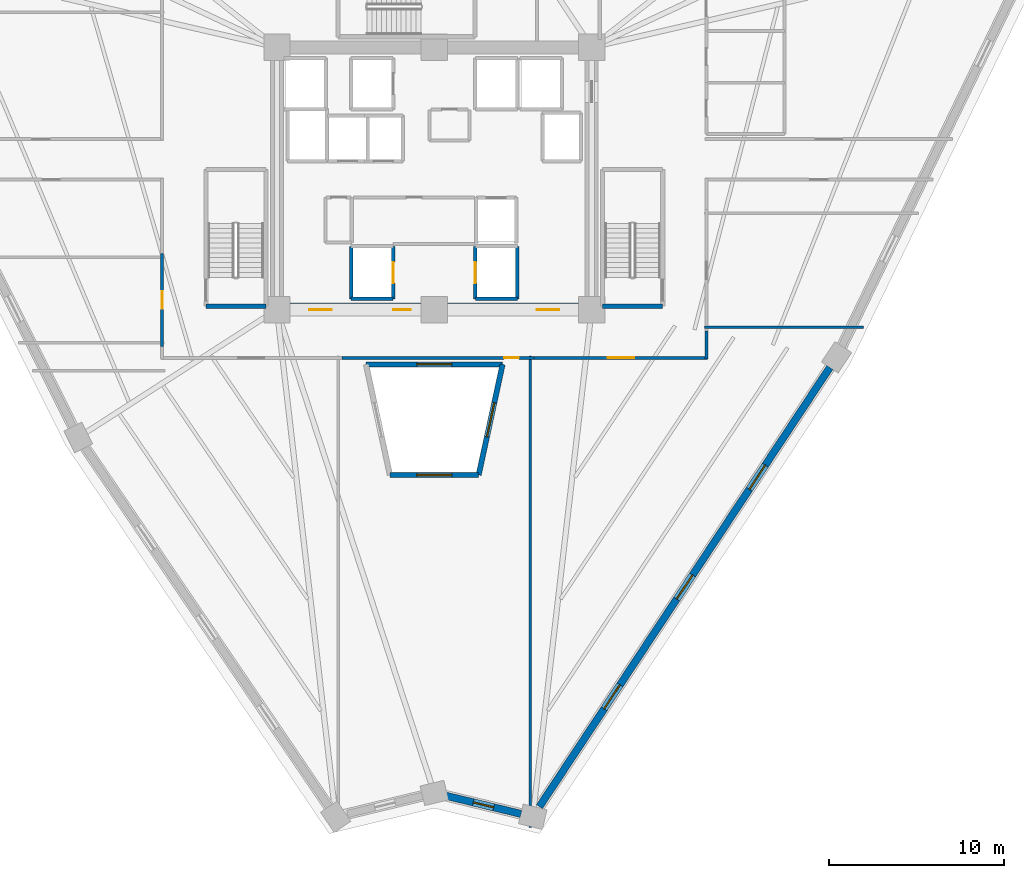
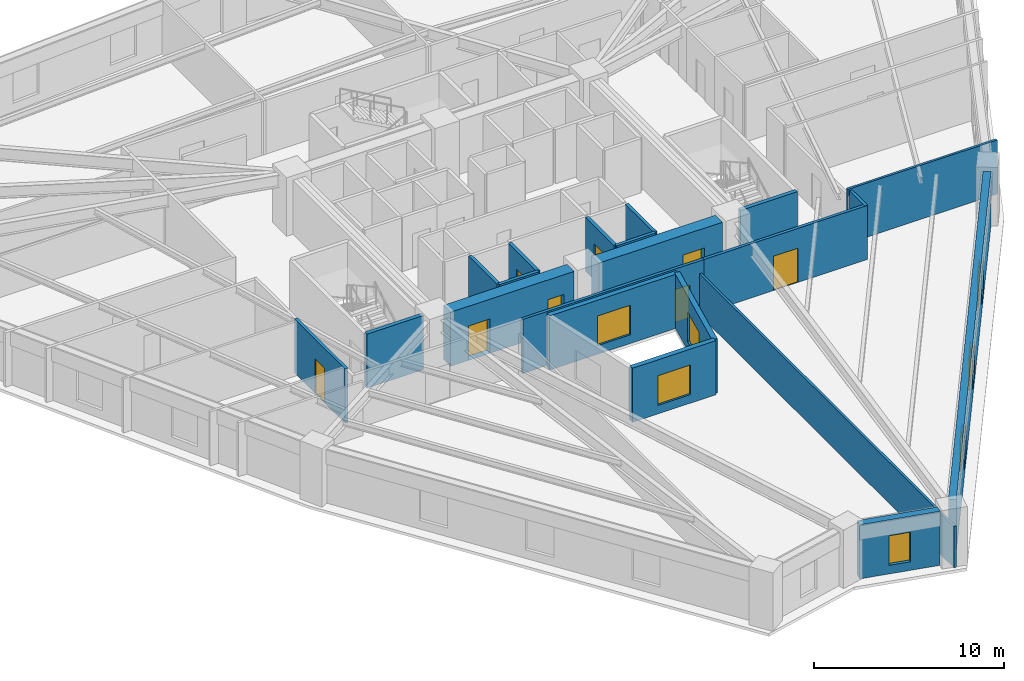
# One storey, part 3 of 8: 21 walls, 8 doors, 7 windows, 15 openings.
"""IFC4 building model written with IfcOpenShell, lengths in metres."""

from ifc_helpers import new_model, si_unit, direction, frame, frame_2d, origin, place, context, subcontext, project, spatial, rectangle, extrude, source, transform, mapped, material, layer, layer_set, type_object, element, fill, save


model = new_model("IFC4")

# Units and contexts
model_context = context("Model", 3, precision=1e-05, world=origin(), true_north=direction((0.0, 1.0)))
body_context = subcontext(model_context, "Body", "Model", "MODEL_VIEW")
ifc_project = project(units=[si_unit("LENGTHUNIT", "METRE"), si_unit("AREAUNIT", "SQUARE_METRE"), si_unit("VOLUMEUNIT", "CUBIC_METRE"), si_unit("PLANEANGLEUNIT", "RADIAN"), si_unit("MASSUNIT", "GRAM", prefix="KILO")], contexts=[model_context])

# Site, building, storey
site_placement = place(None, origin())
site = spatial("IfcSite", under=ifc_project, at=site_placement, CompositionType="ELEMENT")
building_placement = place(site_placement, origin())
building = spatial("IfcBuilding", under=site, at=building_placement, Name="Liaohun Quay Tower", CompositionType="ELEMENT")
storey_placement = place(building_placement, frame((0.0, 0.0, 181.5)))
storey = spatial("IfcBuildingStorey", under=building, at=storey_placement, Name="L47", CompositionType="ELEMENT", Elevation=181.5)

# Wall, opening, window
ifc_material_1 = material(Name="Concrete C50", Category="concrete")
ifc_layer_1 = layer(ifc_material_1, 0.300048828125, Name="Concrete C50", Category="concrete")
ifc_layer_set_1 = layer_set([ifc_layer_1], Name="Concrete C50")
wall_type_1 = type_object("IfcWallType", Name="WAL-ATR-300", PredefinedType="SOLIDWALL", material=ifc_layer_set_1)
wall_1_placement = place(storey_placement, frame((56.093017578125, 43.3701171875, 0.0), z_axis=(0.0, 0.0, 1.0), x_axis=(1.0, 0.0, 0.0)))
wall_1 = element("IfcWall", 1, at=wall_1_placement, inside=storey, type_object=wall_type_1, Name="L47 Atrium Fire Compartment Wall 2", PredefinedType="SOLIDWALL", context=body_context, shape_type="SweptSolid", body=[
    extrude(rectangle(XDim=7.81396484375, YDim=0.300048828125, at=frame_2d((3.906982421875, 0.0))), origin(), (0.0, 0.0, 1.0), 3.469970703125),
])
shared_shape_1 = source(origin(), body_context, "Body", "SweptSolid", [
    extrude(rectangle(XDim=2.0, YDim=1.89990234375, at=frame_2d((1.0, 0.949951171875))), frame((0.0, 0.159912109375, 0.0), z_axis=(0.0, -1.0, 0.0), x_axis=(1.0, 0.0, 0.0)), (0.0, 0.0, 1.0), 0.320068359375),
])
opening_1_placement = place(wall_1_placement, frame((2.906982421875, 0.0, 0.550048828125)))
opening_1 = element("IfcOpeningElement", 2, at=opening_1_placement, cuts=wall_1, Name="Opening W07", PredefinedType="OPENING", context=body_context, shape_type="MappedRepresentation", body=[
    mapped(shared_shape_1, transform((0.0, 0.0, 0.0), x_axis=(1.0, 0.0, 0.0), y_axis=(0.0, 1.0, 0.0), z_axis=(0.0, 0.0, 1.0), scale=1.0)),
])
ifc_material_2 = material(Name="Class A 180-min fire-resistant insulated glazing", Category="glass")
window_type_1 = type_object("IfcWindowType", Name="WIN-ATR-FIR", PartitioningType="DOUBLE_PANEL_VERTICAL", PredefinedType="WINDOW", material=ifc_material_2)
shared_shape_2 = source(origin(), body_context, "Body", "SweptSolid", [
    extrude(rectangle(XDim=2.0, YDim=1.89990234375, at=frame_2d((1.0, 0.949951171875))), frame((0.0, 0.030029296875, 0.0), z_axis=(0.0, -1.0, 0.0), x_axis=(1.0, 0.0, 0.0)), (0.0, 0.0, 1.0), 0.06005859375),
])
window_1_placement = place(opening_1_placement, origin())
window_1 = element("IfcWindow", 3, at=window_1_placement, inside=storey, type_object=window_type_1, Name="L47 Atrium Fire-Resistant Glazing W07-2", OverallHeight=1.89990234375, OverallWidth=2.0, PartitioningType="DOUBLE_PANEL_VERTICAL", PredefinedType="WINDOW", context=body_context, shape_type="MappedRepresentation", body=[
    mapped(shared_shape_2, transform((0.0, 0.0, 0.0), x_axis=(1.0, 0.0, 0.0), y_axis=(0.0, 1.0, 0.0), z_axis=(0.0, 0.0, 1.0), scale=1.0)),
])
fill(opening_1, window_1)

wall_2_placement = place(storey_placement, frame((63.906982421875, 43.3701171875, 0.0), z_axis=(0.0, 0.0, 1.0), x_axis=(-0.211409755765, -0.977397521568, 0.0)))
wall_2 = element("IfcWall", 4, at=wall_2_placement, inside=storey, type_object=wall_type_1, Name="L47 Atrium Fire Compartment Wall 3", PredefinedType="SOLIDWALL", context=body_context, shape_type="SweptSolid", body=[
    extrude(rectangle(XDim=6.470458984375, YDim=0.300048828125, at=frame_2d((3.2353515625, 0.0))), origin(), (0.0, 0.0, 1.0), 3.469970703125),
])
opening_2_placement = place(wall_2_placement, frame((2.235107421875, 0.0, 0.550048828125)))
opening_2 = element("IfcOpeningElement", 5, at=opening_2_placement, cuts=wall_2, Name="Opening W07", PredefinedType="OPENING", context=body_context, shape_type="MappedRepresentation", body=[
    mapped(shared_shape_1, transform((0.0, 0.0, 0.0), x_axis=(1.0, 0.0, 0.0), y_axis=(0.0, 1.0, 0.0), z_axis=(0.0, 0.0, 1.0), scale=1.0)),
])
window_2_placement = place(opening_2_placement, origin())
window_2 = element("IfcWindow", 6, at=window_2_placement, inside=storey, type_object=window_type_1, Name="L47 Atrium Fire-Resistant Glazing W07-3", OverallHeight=1.89990234375, OverallWidth=2.0, PartitioningType="DOUBLE_PANEL_VERTICAL", PredefinedType="WINDOW", context=body_context, shape_type="MappedRepresentation", body=[
    mapped(shared_shape_2, transform((0.0, 0.0, 0.0), x_axis=(1.0, 0.0, 0.0), y_axis=(0.0, 1.0, 0.0), z_axis=(0.0, 0.0, 1.0), scale=1.0)),
])
fill(opening_2, window_2)

wall_3_placement = place(storey_placement, frame((62.5390625, 37.0458984375, 0.0), z_axis=(0.0, 0.0, 1.0), x_axis=(-1.0, 0.0, 0.0)))
wall_3 = element("IfcWall", 7, at=wall_3_placement, inside=storey, type_object=wall_type_1, Name="L47 Atrium Fire Compartment Wall 4", PredefinedType="SOLIDWALL", context=body_context, shape_type="SweptSolid", body=[
    extrude(rectangle(XDim=5.078125, YDim=0.300048828125, at=frame_2d((2.5390625, 0.0))), origin(), (0.0, 0.0, 1.0), 3.469970703125),
])
opening_3_placement = place(wall_3_placement, frame((1.5390625, 0.0, 0.550048828125)))
opening_3 = element("IfcOpeningElement", 8, at=opening_3_placement, cuts=wall_3, Name="Opening W07", PredefinedType="OPENING", context=body_context, shape_type="MappedRepresentation", body=[
    mapped(shared_shape_1, transform((0.0, 0.0, 0.0), x_axis=(1.0, 0.0, 0.0), y_axis=(0.0, 1.0, 0.0), z_axis=(0.0, 0.0, 1.0), scale=1.0)),
])
window_3_placement = place(opening_3_placement, origin())
window_3 = element("IfcWindow", 9, at=window_3_placement, inside=storey, type_object=window_type_1, Name="L47 Atrium Fire-Resistant Glazing W07-4", OverallHeight=1.89990234375, OverallWidth=2.0, PartitioningType="DOUBLE_PANEL_VERTICAL", PredefinedType="WINDOW", context=body_context, shape_type="MappedRepresentation", body=[
    mapped(shared_shape_2, transform((0.0, 0.0, 0.0), x_axis=(1.0, 0.0, 0.0), y_axis=(0.0, 1.0, 0.0), z_axis=(0.0, 0.0, 1.0), scale=1.0)),
])
fill(opening_3, window_3)

# Wall, opening, door
ifc_material_3 = material(Name="Concrete C60", Category="concrete")
ifc_layer_2 = layer(ifc_material_3, 0.75, Name="Concrete C60", Category="concrete")
ifc_layer_set_2 = layer_set([ifc_layer_2], Name="Concrete C60")
wall_type_2 = type_object("IfcWallType", Name="WAL-COR-Z2", PredefinedType="SHEAR", material=ifc_layer_set_2)
wall_4_placement = place(storey_placement, frame((68.25, 46.5, 0.0), z_axis=(0.0, 0.0, 1.0), x_axis=(-1.0, 0.0, 0.0)))
wall_4 = element("IfcWall", 10, at=wall_4_placement, inside=storey, type_object=wall_type_2, Name="L47 Central Core Shear Wall S-E", PredefinedType="SHEAR", context=body_context, shape_type="SweptSolid", body=[
    extrude(rectangle(XDim=7.5, YDim=0.75, at=frame_2d((3.75, 0.0))), origin(), (0.0, 0.0, 1.0), 3.469970703125),
])
shared_shape_3 = source(origin(), body_context, "Body", "SweptSolid", [
    extrude(rectangle(XDim=1.300048828125, YDim=2.199951171875, at=frame_2d((0.64990234375, 1.10009765625))), frame((0.0, 0.385009765625, 0.0), z_axis=(0.0, -1.0, 0.0), x_axis=(1.0, 0.0, 0.0)), (0.0, 0.0, 1.0), 0.77001953125),
])
opening_4_placement = place(wall_4_placement, frame((1.10009765625, 0.0, 0.0)))
opening_4 = element("IfcOpeningElement", 11, at=opening_4_placement, cuts=wall_4, Name="Opening FD1", PredefinedType="OPENING", context=body_context, shape_type="MappedRepresentation", body=[
    mapped(shared_shape_3, transform((0.0, 0.0, 0.0), x_axis=(1.0, 0.0, 0.0), y_axis=(0.0, 1.0, 0.0), z_axis=(0.0, 0.0, 1.0), scale=1.0)),
])
ifc_material_4 = material(Name="Galvanised steel smokeproof fire door", Category="steel")
door_type_1 = type_object("IfcDoorType", Name="DOR-FFL-1300", OperationType="NOTDEFINED", PredefinedType="DOOR", material=ifc_material_4)
shared_shape_4 = source(origin(), body_context, "Body", "SweptSolid", [
    extrude(rectangle(XDim=1.300048828125, YDim=2.199951171875, at=frame_2d((0.64990234375, 1.10009765625))), frame((0.0, 0.02490234375, 0.0), z_axis=(0.0, -1.0, 0.0), x_axis=(1.0, 0.0, 0.0)), (0.0, 0.0, 1.0), 0.050048828125),
])
door_1_placement = place(opening_4_placement, origin())
door_1 = element("IfcDoor", 12, at=door_1_placement, inside=storey, type_object=door_type_1, Name="L47 East Core Lift Lobby Smokeproof Door", OperationType="SINGLE_SWING_LEFT", OverallHeight=2.199951171875, OverallWidth=1.300048828125, PredefinedType="DOOR", context=body_context, shape_type="MappedRepresentation", body=[
    mapped(shared_shape_4, transform((0.0, 0.0, 0.0), x_axis=(1.0, 0.0, 0.0), y_axis=(0.0, 1.0, 0.0), z_axis=(0.0, 0.0, 1.0), scale=1.0)),
])
fill(opening_4, door_1)

# Wall, openings, doors
wall_5_placement = place(storey_placement, frame((59.25, 46.5, 0.0), z_axis=(0.0, 0.0, 1.0), x_axis=(-1.0, 0.0, 0.0)))
wall_5 = element("IfcWall", 13, at=wall_5_placement, inside=storey, type_object=wall_type_2, Name="L47 Central Core Shear Wall S-W", PredefinedType="SHEAR", context=body_context, shape_type="SweptSolid", body=[
    extrude(rectangle(XDim=7.5, YDim=0.75, at=frame_2d((3.75, 0.0))), origin(), (0.0, 0.0, 1.0), 3.469970703125),
])
opening_5_placement = place(wall_5_placement, frame((5.10009765625, 0.0, 0.0)))
opening_5 = element("IfcOpeningElement", 14, at=opening_5_placement, cuts=wall_5, Name="Opening FD1", PredefinedType="OPENING", context=body_context, shape_type="MappedRepresentation", body=[
    mapped(shared_shape_3, transform((0.0, 0.0, 0.0), x_axis=(1.0, 0.0, 0.0), y_axis=(0.0, 1.0, 0.0), z_axis=(0.0, 0.0, 1.0), scale=1.0)),
])
shared_shape_5 = source(origin(), body_context, "Body", "SweptSolid", [
    extrude(rectangle(XDim=1.0, YDim=2.199951171875, at=frame_2d((0.5, 1.10009765625))), frame((0.0, 0.385009765625, 0.0), z_axis=(0.0, -1.0, 0.0), x_axis=(1.0, 0.0, 0.0)), (0.0, 0.0, 1.0), 0.77001953125),
])
opening_6_placement = place(wall_5_placement, frame((0.60009765625, 0.0, 0.0)))
opening_6 = element("IfcOpeningElement", 15, at=opening_6_placement, cuts=wall_5, Name="Opening FD2", PredefinedType="OPENING", context=body_context, shape_type="MappedRepresentation", body=[
    mapped(shared_shape_5, transform((0.0, 0.0, 0.0), x_axis=(1.0, 0.0, 0.0), y_axis=(0.0, 1.0, 0.0), z_axis=(0.0, 0.0, 1.0), scale=1.0)),
])
door_2_placement = place(opening_5_placement, origin())
door_2 = element("IfcDoor", 16, at=door_2_placement, inside=storey, type_object=door_type_1, Name="L47 West Core Lift Lobby Smokeproof Door", OperationType="SINGLE_SWING_RIGHT", OverallHeight=2.199951171875, OverallWidth=1.300048828125, PredefinedType="DOOR", context=body_context, shape_type="MappedRepresentation", body=[
    mapped(shared_shape_4, transform((0.0, 0.0, 0.0), x_axis=(1.0, 0.0, 0.0), y_axis=(0.0, 1.0, 0.0), z_axis=(0.0, 0.0, 1.0), scale=1.0)),
])
fill(opening_5, door_2)
ifc_material_5 = material(Name="Galvanised steel smokeproof lobby fire door", Category="steel")
door_type_2 = type_object("IfcDoorType", Name="DOR-FFL-1000", OperationType="NOTDEFINED", PredefinedType="DOOR", material=ifc_material_5)
shared_shape_6 = source(origin(), body_context, "Body", "SweptSolid", [
    extrude(rectangle(XDim=1.0, YDim=2.199951171875, at=frame_2d((0.5, 1.10009765625))), frame((0.0, 0.02490234375, 0.0), z_axis=(0.0, -1.0, 0.0), x_axis=(1.0, 0.0, 0.0)), (0.0, 0.0, 1.0), 0.050048828125),
])
door_3_placement = place(opening_6_placement, origin())
door_3 = element("IfcDoor", 17, at=door_3_placement, inside=storey, type_object=door_type_2, Name="L47 South Firefighting Lobby Smokeproof Door", OperationType="SINGLE_SWING_LEFT", OverallHeight=2.199951171875, OverallWidth=1.0, PredefinedType="DOOR", context=body_context, shape_type="MappedRepresentation", body=[
    mapped(shared_shape_6, transform((0.0, 0.0, 0.0), x_axis=(1.0, 0.0, 0.0), y_axis=(0.0, 1.0, 0.0), z_axis=(0.0, 0.0, 1.0), scale=1.0)),
])
fill(opening_6, door_3)

# Wall, opening, window
ifc_material_6 = material(Name="Precast concrete C50 insulated sandwich", Category="concrete")
ifc_layer_3 = layer(ifc_material_6, 0.419921875, Name="Precast concrete C50 insulated sandwich", Category="concrete")
ifc_layer_set_3 = layer_set([ifc_layer_3], Name="Precast concrete C50 insulated sandwich")
wall_type_3 = type_object("IfcWallType", Name="WAL-EXT-Z12", PredefinedType="SOLIDWALL", material=ifc_layer_set_3)
wall_6_placement = place(storey_placement, frame((60.6708984375, 18.7041015625, 0.0), z_axis=(0.0, 0.0, 1.0), x_axis=(0.972038673822, -0.234820818061, 0.0)))
wall_6 = element("IfcWall", 18, at=wall_6_placement, inside=storey, type_object=wall_type_3, Name="L47 Brutalist Precast Pier Wall 01", PredefinedType="SOLIDWALL", context=body_context, shape_type="SweptSolid", body=[
    extrude(rectangle(XDim=4.412353515625, YDim=0.419921875, at=frame_2d((2.2060546875, 0.0))), origin(), (0.0, 0.0, 1.0), 3.469970703125),
])
shared_shape_7 = source(origin(), body_context, "Body", "SweptSolid", [
    extrude(rectangle(XDim=1.199951171875, YDim=1.89990234375, at=frame_2d((0.60009765625, 0.949951171875))), frame((0.0, 0.219970703125, 0.0), z_axis=(0.0, -1.0, 0.0), x_axis=(1.0, 0.0, 0.0)), (0.0, 0.0, 1.0), 0.43994140625),
])
opening_7_placement = place(wall_6_placement, frame((1.60595703125, 0.0, 0.550048828125)))
opening_7 = element("IfcOpeningElement", 19, at=opening_7_placement, cuts=wall_6, Name="Opening W05", PredefinedType="OPENING", context=body_context, shape_type="MappedRepresentation", body=[
    mapped(shared_shape_7, transform((0.0, 0.0, 0.0), x_axis=(1.0, 0.0, 0.0), y_axis=(0.0, 1.0, 0.0), z_axis=(0.0, 0.0, 1.0), scale=1.0)),
])
ifc_material_7 = material(Name="Triple Low-E corner notch glazing", Category="glass")
window_type_2 = type_object("IfcWindowType", Name="WIN-NOTCH", PartitioningType="SINGLE_PANEL", PredefinedType="WINDOW", material=ifc_material_7)
shared_shape_8 = source(origin(), body_context, "Body", "SweptSolid", [
    extrude(rectangle(XDim=1.199951171875, YDim=1.89990234375, at=frame_2d((0.60009765625, 0.949951171875))), frame((0.0, 0.030029296875, 0.0), z_axis=(0.0, -1.0, 0.0), x_axis=(1.0, 0.0, 0.0)), (0.0, 0.0, 1.0), 0.06005859375),
])
window_4_placement = place(opening_7_placement, origin())
window_4 = element("IfcWindow", 20, at=window_4_placement, inside=storey, type_object=window_type_2, Name="L47 Corner Notch Window W05-01", OverallHeight=1.89990234375, OverallWidth=1.199951171875, PartitioningType="SINGLE_PANEL", PredefinedType="WINDOW", context=body_context, shape_type="MappedRepresentation", body=[
    mapped(shared_shape_8, transform((0.0, 0.0, 0.0), x_axis=(1.0, 0.0, 0.0), y_axis=(0.0, 1.0, 0.0), z_axis=(0.0, 0.0, 1.0), scale=1.0)),
])
fill(opening_7, window_4)

# Wall, openings, windows
wall_7_placement = place(storey_placement, frame((66.011962890625, 18.08203125, 0.0), z_axis=(0.0, 0.0, 1.0), x_axis=(0.551595967402, 0.834111436647, 0.0)))
wall_7 = element("IfcWall", 21, at=wall_7_placement, inside=storey, type_object=wall_type_3, Name="L47 Brutalist Precast Pier Wall 02", PredefinedType="SOLIDWALL", context=body_context, shape_type="SweptSolid", body=[
    extrude(rectangle(XDim=30.111083984375, YDim=0.419921875, at=frame_2d((15.0556640625, 0.0))), origin(), (0.0, 0.0, 1.0), 3.469970703125),
])
shared_shape_9 = source(origin(), body_context, "Body", "SweptSolid", [
    extrude(rectangle(XDim=1.64990234375, YDim=1.949951171875, at=frame_2d((0.824951171875, 0.97509765625))), frame((0.0, 0.219970703125, 0.0), z_axis=(0.0, -1.0, 0.0), x_axis=(1.0, 0.0, 0.0)), (0.0, 0.0, 1.0), 0.43994140625),
])
opening_8_placement = place(wall_7_placement, frame((6.702880859375, 0.0, 0.550048828125)))
opening_8 = element("IfcOpeningElement", 22, at=opening_8_placement, cuts=wall_7, Name="Opening W02", PredefinedType="OPENING", context=body_context, shape_type="MappedRepresentation", body=[
    mapped(shared_shape_9, transform((0.0, 0.0, 0.0), x_axis=(1.0, 0.0, 0.0), y_axis=(0.0, 1.0, 0.0), z_axis=(0.0, 0.0, 1.0), scale=1.0)),
])
opening_9_placement = place(wall_7_placement, frame((14.23095703125, 0.0, 0.550048828125)))
opening_9 = element("IfcOpeningElement", 23, at=opening_9_placement, cuts=wall_7, Name="Opening W02", PredefinedType="OPENING", context=body_context, shape_type="MappedRepresentation", body=[
    mapped(shared_shape_9, transform((0.0, 0.0, 0.0), x_axis=(1.0, 0.0, 0.0), y_axis=(0.0, 1.0, 0.0), z_axis=(0.0, 0.0, 1.0), scale=1.0)),
])
opening_10_placement = place(wall_7_placement, frame((21.758056640625, 0.0, 0.550048828125)))
opening_10 = element("IfcOpeningElement", 24, at=opening_10_placement, cuts=wall_7, Name="Opening W02", PredefinedType="OPENING", context=body_context, shape_type="MappedRepresentation", body=[
    mapped(shared_shape_9, transform((0.0, 0.0, 0.0), x_axis=(1.0, 0.0, 0.0), y_axis=(0.0, 1.0, 0.0), z_axis=(0.0, 0.0, 1.0), scale=1.0)),
])
ifc_material_8 = material(Name="Triple Low-E argon glazing in thermally broken aluminium", Category="aluminium")
window_type_3 = type_object("IfcWindowType", Name="WIN-PUN-Z2", PartitioningType="DOUBLE_PANEL_VERTICAL", PredefinedType="WINDOW", material=ifc_material_8)
shared_shape_10 = source(origin(), body_context, "Body", "SweptSolid", [
    extrude(rectangle(XDim=1.64990234375, YDim=1.949951171875, at=frame_2d((0.824951171875, 0.97509765625))), frame((0.0, 0.030029296875, 0.0), z_axis=(0.0, -1.0, 0.0), x_axis=(1.0, 0.0, 0.0)), (0.0, 0.0, 1.0), 0.06005859375),
])
window_5_placement = place(opening_8_placement, origin())
window_5 = element("IfcWindow", 25, at=window_5_placement, inside=storey, type_object=window_type_3, Name="L47 Recessed Cold-Climate Punched Window 02-1", OverallHeight=1.949951171875, OverallWidth=1.64990234375, PartitioningType="DOUBLE_PANEL_VERTICAL", PredefinedType="WINDOW", context=body_context, shape_type="MappedRepresentation", body=[
    mapped(shared_shape_10, transform((0.0, 0.0, 0.0), x_axis=(1.0, 0.0, 0.0), y_axis=(0.0, 1.0, 0.0), z_axis=(0.0, 0.0, 1.0), scale=1.0)),
])
fill(opening_8, window_5)
window_6_placement = place(opening_9_placement, origin())
window_6 = element("IfcWindow", 26, at=window_6_placement, inside=storey, type_object=window_type_3, Name="L47 Recessed Cold-Climate Punched Window 02-2", OverallHeight=1.949951171875, OverallWidth=1.64990234375, PartitioningType="DOUBLE_PANEL_VERTICAL", PredefinedType="WINDOW", context=body_context, shape_type="MappedRepresentation", body=[
    mapped(shared_shape_10, transform((0.0, 0.0, 0.0), x_axis=(1.0, 0.0, 0.0), y_axis=(0.0, 1.0, 0.0), z_axis=(0.0, 0.0, 1.0), scale=1.0)),
])
fill(opening_9, window_6)
window_7_placement = place(opening_10_placement, origin())
window_7 = element("IfcWindow", 27, at=window_7_placement, inside=storey, type_object=window_type_3, Name="L47 Recessed Cold-Climate Punched Window 02-3", OverallHeight=1.949951171875, OverallWidth=1.64990234375, PartitioningType="DOUBLE_PANEL_VERTICAL", PredefinedType="WINDOW", context=body_context, shape_type="MappedRepresentation", body=[
    mapped(shared_shape_10, transform((0.0, 0.0, 0.0), x_axis=(1.0, 0.0, 0.0), y_axis=(0.0, 1.0, 0.0), z_axis=(0.0, 0.0, 1.0), scale=1.0)),
])
fill(opening_10, window_7)

# Wall, opening, door
ifc_material_9 = material(Name="Autoclaved aerated concrete blockwork", Category="masonry")
ifc_layer_4 = layer(ifc_material_9, 0.179931640625, Name="Autoclaved aerated concrete blockwork", Category="masonry")
ifc_layer_set_4 = layer_set([ifc_layer_4], Name="Autoclaved aerated concrete blockwork")
wall_type_4 = type_object("IfcWallType", Name="WAL-PRT-COR", PredefinedType="PARTITIONING", material=ifc_layer_set_4)
wall_8_placement = place(storey_placement, frame((44.43994140625, 44.385009765625, 0.0), z_axis=(0.0, 0.0, 1.0), x_axis=(0.0, 1.0, 0.0)))
wall_8 = element("IfcWall", 28, at=wall_8_placement, inside=storey, type_object=wall_type_4, Name="L47 Interior Partition Wall 018", PredefinedType="PARTITIONING", context=body_context, shape_type="SweptSolid", body=[
    extrude(rectangle(XDim=5.330078125, YDim=0.179931640625, at=frame_2d((2.6650390625, 0.0))), origin(), (0.0, 0.0, 1.0), 3.469970703125),
])
shared_shape_11 = source(origin(), body_context, "Body", "SweptSolid", [
    extrude(rectangle(XDim=1.0, YDim=2.199951171875, at=frame_2d((0.5, 1.10009765625))), frame((0.0, 0.099853515625, 0.0), z_axis=(0.0, -1.0, 0.0), x_axis=(1.0, 0.0, 0.0)), (0.0, 0.0, 1.0), 0.199951171875),
])
opening_11_placement = place(wall_8_placement, frame((2.1650390625, 0.0, 0.0)))
opening_11 = element("IfcOpeningElement", 29, at=opening_11_placement, cuts=wall_8, Name="Opening OD1", PredefinedType="OPENING", context=body_context, shape_type="MappedRepresentation", body=[
    mapped(shared_shape_11, transform((0.0, 0.0, 0.0), x_axis=(1.0, 0.0, 0.0), y_axis=(0.0, 1.0, 0.0), z_axis=(0.0, 0.0, 1.0), scale=1.0)),
])
ifc_material_10 = material(Name="Solid-core oak veneer timber leaf in steel frame", Category="steel")
door_type_3 = type_object("IfcDoorType", Name="DOR-OFF-1000", OperationType="NOTDEFINED", PredefinedType="DOOR", material=ifc_material_10)
door_4_placement = place(opening_11_placement, origin())
door_4 = element("IfcDoor", 30, at=door_4_placement, inside=storey, type_object=door_type_3, Name="L47 Digital Prototyping Laboratory 08 Door", OperationType="SINGLE_SWING_RIGHT", OverallHeight=2.199951171875, OverallWidth=1.0, PredefinedType="DOOR", context=body_context, shape_type="MappedRepresentation", body=[
    mapped(shared_shape_6, transform((0.0, 0.0, 0.0), x_axis=(1.0, 0.0, 0.0), y_axis=(0.0, 1.0, 0.0), z_axis=(0.0, 0.0, 1.0), scale=1.0)),
])
fill(opening_11, door_4)

wall_9_placement = place(storey_placement, frame((65.715087890625, 43.739990234375, 0.0), z_axis=(0.0, 0.0, 1.0), x_axis=(-1.0, 0.0, 0.0)))
wall_9 = element("IfcWall", 31, at=wall_9_placement, inside=storey, type_object=wall_type_4, Name="L47 Interior Partition Wall 020", PredefinedType="PARTITIONING", context=body_context, shape_type="SweptSolid", body=[
    extrude(rectangle(XDim=11.0, YDim=0.179931640625, at=frame_2d((5.5, 0.0))), origin(), (0.0, 0.0, 1.0), 3.469970703125),
])
shared_shape_12 = source(origin(), body_context, "Body", "SweptSolid", [
    extrude(rectangle(XDim=0.85009765625, YDim=2.10009765625, at=frame_2d((0.425048828125, 1.050048828125))), frame((0.0, 0.099853515625, 0.0), z_axis=(0.0, -1.0, 0.0), x_axis=(1.0, 0.0, 0.0)), (0.0, 0.0, 1.0), 0.199951171875),
])
opening_12_placement = place(wall_9_placement, frame((0.875, 0.0, 0.0)))
opening_12 = element("IfcOpeningElement", 32, at=opening_12_placement, cuts=wall_9, Name="Opening AD1", PredefinedType="OPENING", context=body_context, shape_type="MappedRepresentation", body=[
    mapped(shared_shape_12, transform((0.0, 0.0, 0.0), x_axis=(1.0, 0.0, 0.0), y_axis=(0.0, 1.0, 0.0), z_axis=(0.0, 0.0, 1.0), scale=1.0)),
])
ifc_material_11 = material(Name="Steel riser inspection fire door", Category="steel")
door_type_4 = type_object("IfcDoorType", Name="DOR-SHF-850", OperationType="NOTDEFINED", PredefinedType="DOOR", material=ifc_material_11)
shared_shape_13 = source(origin(), body_context, "Body", "SweptSolid", [
    extrude(rectangle(XDim=0.85009765625, YDim=2.10009765625, at=frame_2d((0.425048828125, 1.050048828125))), frame((0.0, 0.02490234375, 0.0), z_axis=(0.0, -1.0, 0.0), x_axis=(1.0, 0.0, 0.0)), (0.0, 0.0, 1.0), 0.050048828125),
])
door_5_placement = place(opening_12_placement, origin())
door_5 = element("IfcDoor", 33, at=door_5_placement, inside=storey, type_object=door_type_4, Name="L47 Open-Plan Office Workplace 10 Door", OperationType="SINGLE_SWING_RIGHT", OverallHeight=2.10009765625, OverallWidth=0.85009765625, PredefinedType="DOOR", context=body_context, shape_type="MappedRepresentation", body=[
    mapped(shared_shape_13, transform((0.0, 0.0, 0.0), x_axis=(1.0, 0.0, 0.0), y_axis=(0.0, 1.0, 0.0), z_axis=(0.0, 0.0, 1.0), scale=1.0)),
])
fill(opening_12, door_5)

wall_10_placement = place(storey_placement, frame((75.6298828125, 43.739990234375, 0.0), z_axis=(0.0, 0.0, 1.0), x_axis=(-1.0, 0.0, 0.0)))
wall_10 = element("IfcWall", 34, at=wall_10_placement, inside=storey, type_object=wall_type_4, Name="L47 Interior Partition Wall 021", PredefinedType="PARTITIONING", context=body_context, shape_type="SweptSolid", body=[
    extrude(rectangle(XDim=9.914794921875, YDim=0.179931640625, at=frame_2d((4.95751953125, 0.0))), origin(), (0.0, 0.0, 1.0), 3.469970703125),
])
shared_shape_14 = source(origin(), body_context, "Body", "SweptSolid", [
    extrude(rectangle(XDim=1.5, YDim=2.199951171875, at=frame_2d((0.75, 1.10009765625))), frame((0.0, 0.099853515625, 0.0), z_axis=(0.0, -1.0, 0.0), x_axis=(1.0, 0.0, 0.0)), (0.0, 0.0, 1.0), 0.199951171875),
])
opening_13_placement = place(wall_10_placement, frame((4.20703125, 0.0, 0.0)))
opening_13 = element("IfcOpeningElement", 35, at=opening_13_placement, cuts=wall_10, Name="Opening OD2", PredefinedType="OPENING", context=body_context, shape_type="MappedRepresentation", body=[
    mapped(shared_shape_14, transform((0.0, 0.0, 0.0), x_axis=(1.0, 0.0, 0.0), y_axis=(0.0, 1.0, 0.0), z_axis=(0.0, 0.0, 1.0), scale=1.0)),
])
ifc_material_12 = material(Name="Acoustic oak veneer double door")
door_type_5 = type_object("IfcDoorType", Name="DOR-OFF-1500", OperationType="DOUBLE_DOOR_SINGLE_SWING", PredefinedType="DOOR", material=ifc_material_12)
shared_shape_15 = source(origin(), body_context, "Body", "SweptSolid", [
    extrude(rectangle(XDim=1.5, YDim=2.199951171875, at=frame_2d((0.75, 1.10009765625))), frame((0.0, 0.02490234375, 0.0), z_axis=(0.0, -1.0, 0.0), x_axis=(1.0, 0.0, 0.0)), (0.0, 0.0, 1.0), 0.050048828125),
])
door_6_placement = place(opening_13_placement, origin())
door_6 = element("IfcDoor", 36, at=door_6_placement, inside=storey, type_object=door_type_5, Name="L47 Executive Partner Office 11 Door", OperationType="DOUBLE_DOOR_SINGLE_SWING", OverallHeight=2.199951171875, OverallWidth=1.5, PredefinedType="DOOR", context=body_context, shape_type="MappedRepresentation", body=[
    mapped(shared_shape_15, transform((0.0, 0.0, 0.0), x_axis=(1.0, 0.0, 0.0), y_axis=(0.0, 1.0, 0.0), z_axis=(0.0, 0.0, 1.0), scale=1.0)),
])
fill(opening_13, door_6)

# Walls
wall_11_placement = place(storey_placement, frame((75.56005859375, 45.284912109375, 0.0), z_axis=(0.0, 0.0, 1.0), x_axis=(0.0, -1.0, 0.0)))
element("IfcWall", 37, at=wall_11_placement, inside=storey, type_object=wall_type_4, Name="L47 Interior Partition Wall 043", PredefinedType="PARTITIONING", context=body_context, shape_type="SweptSolid", body=[
    extrude(rectangle(XDim=1.614990234375, YDim=0.179931640625, at=frame_2d((0.8076171875, 0.0))), origin(), (0.0, 0.0, 1.0), 3.469970703125),
])
ifc_material_13 = material(Name="Gypsum board on twin steel studs", Category="steel")
ifc_layer_5 = layer(ifc_material_13, 0.139892578125, Name="Gypsum board on twin steel studs", Category="steel")
ifc_layer_set_5 = layer_set([ifc_layer_5], Name="Gypsum board on twin steel studs")
wall_type_5 = type_object("IfcWallType", Name="WAL-PRT-OFF", PredefinedType="PARTITIONING", material=ifc_layer_set_5)
wall_12_placement = place(storey_placement, frame((75.4599609375, 45.5, 0.0), z_axis=(0.0, 0.0, 1.0), x_axis=(1.0, 0.0, 0.0)))
element("IfcWall", 38, at=wall_12_placement, inside=storey, type_object=wall_type_5, Name="L47 Interior Partition Wall 050", PredefinedType="PARTITIONING", context=body_context, shape_type="SweptSolid", body=[
    extrude(rectangle(XDim=9.078125, YDim=0.139892578125, at=frame_2d((4.5390625, 0.0))), origin(), (0.0, 0.0, 1.0), 3.469970703125),
])
wall_13_placement = place(storey_placement, frame((65.5, 43.840087890625, 0.0), z_axis=(0.0, 0.0, 1.0), x_axis=(0.0, -1.0, 0.0)))
element("IfcWall", 39, at=wall_13_placement, inside=storey, type_object=wall_type_5, Name="L47 Interior Partition Wall 056", PredefinedType="PARTITIONING", context=body_context, shape_type="SweptSolid", body=[
    extrude(rectangle(XDim=26.9501953125, YDim=0.139892578125, at=frame_2d((13.47509765625, 0.0))), origin(), (0.0, 0.0, 1.0), 2.655029296875),
])
ifc_layer_6 = layer(ifc_material_1, 0.239990234375, Name="Concrete C50", Category="concrete")
ifc_layer_set_6 = layer_set([ifc_layer_6], Name="Concrete C50")
wall_type_6 = type_object("IfcWallType", Name="WAL-SHF-200", PredefinedType="SOLIDWALL", material=ifc_layer_set_6)
for number, where, z_axis, x_axis, name in (
    (40, (46.93994140625, 46.699951171875, 0.0), (0.0, 0.0, 1.0), (1.0, 0.0, 0.0), "L47 Stairwell ST-1 Structural Core Wall S"),
    (41, (69.6201171875, 46.699951171875, 0.0), (0.0, 0.0, 1.0), (1.0, 0.0, 0.0), "L47 Stairwell ST-2 Structural Core Wall S"),
):
    element("IfcWall", number, at=place(storey_placement, frame(where, z_axis=z_axis, x_axis=x_axis)), inside=storey, type_object=wall_type_6, Name=name, PredefinedType="SOLIDWALL", context=body_context, shape_type="SweptSolid", body=[
        extrude(rectangle(XDim=3.43994140625, YDim=0.239990234375, at=frame_2d((1.719970703125, 0.0))), origin(), (0.0, 0.0, 1.0), 3.469970703125),
    ])
wall_14_placement = place(storey_placement, frame((55.25, 47.1201171875, 0.0), z_axis=(0.0, 0.0, 1.0), x_axis=(1.0, 0.0, 0.0)))
element("IfcWall", 42, at=wall_14_placement, inside=storey, type_object=wall_type_6, Name="L47 Lift FF-01 Hoistway Wall S", PredefinedType="SOLIDWALL", context=body_context, shape_type="SweptSolid", body=[
    extrude(rectangle(XDim=2.39990234375, YDim=0.199951171875, at=frame_2d((1.199951171875, 0.0))), origin(), (0.0, 0.0, 1.0), 3.469970703125),
])

# Wall, opening, door
wall_15_placement = place(storey_placement, frame((57.64990234375, 47.1201171875, 0.0), z_axis=(0.0, 0.0, 1.0), x_axis=(0.0, 1.0, 0.0)))
wall_15 = element("IfcWall", 43, at=wall_15_placement, inside=storey, type_object=wall_type_6, Name="L47 Lift FF-01 Hoistway Wall E", PredefinedType="SOLIDWALL", context=body_context, shape_type="SweptSolid", body=[
    extrude(rectangle(XDim=3.0, YDim=0.199951171875, at=frame_2d((1.5, 0.0))), origin(), (0.0, 0.0, 1.0), 3.469970703125),
])
shared_shape_16 = source(origin(), body_context, "Body", "SweptSolid", [
    extrude(rectangle(XDim=1.199951171875, YDim=2.300048828125, at=frame_2d((0.60009765625, 1.14990234375))), frame((0.0, 0.10986328125, 0.0), z_axis=(0.0, -1.0, 0.0), x_axis=(1.0, 0.0, 0.0)), (0.0, 0.0, 1.0), 0.219970703125),
])
opening_14_placement = place(wall_15_placement, frame((0.89990234375, 0.0, 0.0)))
opening_14 = element("IfcOpeningElement", 44, at=opening_14_placement, cuts=wall_15, Name="Opening LD2", PredefinedType="OPENING", context=body_context, shape_type="MappedRepresentation", body=[
    mapped(shared_shape_16, transform((0.0, 0.0, 0.0), x_axis=(1.0, 0.0, 0.0), y_axis=(0.0, 1.0, 0.0), z_axis=(0.0, 0.0, 1.0), scale=1.0)),
])
ifc_material_14 = material(Name="Brushed stainless steel stretcher landing door", Category="steel")
door_type_6 = type_object("IfcDoorType", Name="DOR-LFT-1200", OperationType="SLIDING_TO_LEFT", PredefinedType="DOOR", material=ifc_material_14)
shared_shape_17 = source(origin(), body_context, "Body", "SweptSolid", [
    extrude(rectangle(XDim=1.199951171875, YDim=2.300048828125, at=frame_2d((0.60009765625, 1.14990234375))), frame((0.0, 0.02490234375, 0.0), z_axis=(0.0, -1.0, 0.0), x_axis=(1.0, 0.0, 0.0)), (0.0, 0.0, 1.0), 0.050048828125),
])
door_7_placement = place(opening_14_placement, origin())
door_7 = element("IfcDoor", 45, at=door_7_placement, inside=storey, type_object=door_type_6, Name="L47 Lift FF-01 Sliding Landing Door", OperationType="SLIDING_TO_LEFT", OverallHeight=2.300048828125, OverallWidth=1.199951171875, PredefinedType="DOOR", context=body_context, shape_type="MappedRepresentation", body=[
    mapped(shared_shape_17, transform((0.0, 0.0, 0.0), x_axis=(1.0, 0.0, 0.0), y_axis=(0.0, 1.0, 0.0), z_axis=(0.0, 0.0, 1.0), scale=1.0)),
])
fill(opening_14, door_7)

# Walls
wall_16_placement = place(storey_placement, frame((55.25, 50.1201171875, 0.0), z_axis=(0.0, 0.0, 1.0), x_axis=(0.0, -1.0, 0.0)))
element("IfcWall", 46, at=wall_16_placement, inside=storey, type_object=wall_type_6, Name="L47 Lift FF-01 Hoistway Wall W", PredefinedType="SOLIDWALL", context=body_context, shape_type="SweptSolid", body=[
    extrude(rectangle(XDim=3.0, YDim=0.199951171875, at=frame_2d((1.5, 0.0))), origin(), (0.0, 0.0, 1.0), 3.469970703125),
])
wall_17_placement = place(storey_placement, frame((62.35009765625, 47.1201171875, 0.0), z_axis=(0.0, 0.0, 1.0), x_axis=(1.0, 0.0, 0.0)))
element("IfcWall", 47, at=wall_17_placement, inside=storey, type_object=wall_type_6, Name="L47 Lift FF-02 Hoistway Wall S", PredefinedType="SOLIDWALL", context=body_context, shape_type="SweptSolid", body=[
    extrude(rectangle(XDim=2.39990234375, YDim=0.199951171875, at=frame_2d((1.199951171875, 0.0))), origin(), (0.0, 0.0, 1.0), 3.469970703125),
])
wall_18_placement = place(storey_placement, frame((64.75, 47.1201171875, 0.0), z_axis=(0.0, 0.0, 1.0), x_axis=(0.0, 1.0, 0.0)))
element("IfcWall", 48, at=wall_18_placement, inside=storey, type_object=wall_type_6, Name="L47 Lift FF-02 Hoistway Wall E", PredefinedType="SOLIDWALL", context=body_context, shape_type="SweptSolid", body=[
    extrude(rectangle(XDim=3.0, YDim=0.199951171875, at=frame_2d((1.5, 0.0))), origin(), (0.0, 0.0, 1.0), 3.469970703125),
])

# Wall, opening, door
wall_19_placement = place(storey_placement, frame((62.35009765625, 50.1201171875, 0.0), z_axis=(0.0, 0.0, 1.0), x_axis=(0.0, -1.0, 0.0)))
wall_19 = element("IfcWall", 49, at=wall_19_placement, inside=storey, type_object=wall_type_6, Name="L47 Lift FF-02 Hoistway Wall W", PredefinedType="SOLIDWALL", context=body_context, shape_type="SweptSolid", body=[
    extrude(rectangle(XDim=3.0, YDim=0.199951171875, at=frame_2d((1.5, 0.0))), origin(), (0.0, 0.0, 1.0), 3.469970703125),
])
opening_15_placement = place(wall_19_placement, frame((0.89990234375, 0.0, 0.0)))
opening_15 = element("IfcOpeningElement", 50, at=opening_15_placement, cuts=wall_19, Name="Opening LD2", PredefinedType="OPENING", context=body_context, shape_type="MappedRepresentation", body=[
    mapped(shared_shape_16, transform((0.0, 0.0, 0.0), x_axis=(1.0, 0.0, 0.0), y_axis=(0.0, 1.0, 0.0), z_axis=(0.0, 0.0, 1.0), scale=1.0)),
])
door_8_placement = place(opening_15_placement, origin())
door_8 = element("IfcDoor", 51, at=door_8_placement, inside=storey, type_object=door_type_6, Name="L47 Lift FF-02 Sliding Landing Door", OperationType="SLIDING_TO_LEFT", OverallHeight=2.300048828125, OverallWidth=1.199951171875, PredefinedType="DOOR", context=body_context, shape_type="MappedRepresentation", body=[
    mapped(shared_shape_17, transform((0.0, 0.0, 0.0), x_axis=(1.0, 0.0, 0.0), y_axis=(0.0, 1.0, 0.0), z_axis=(0.0, 0.0, 1.0), scale=1.0)),
])
fill(opening_15, door_8)

save(model, "model.ifc")
